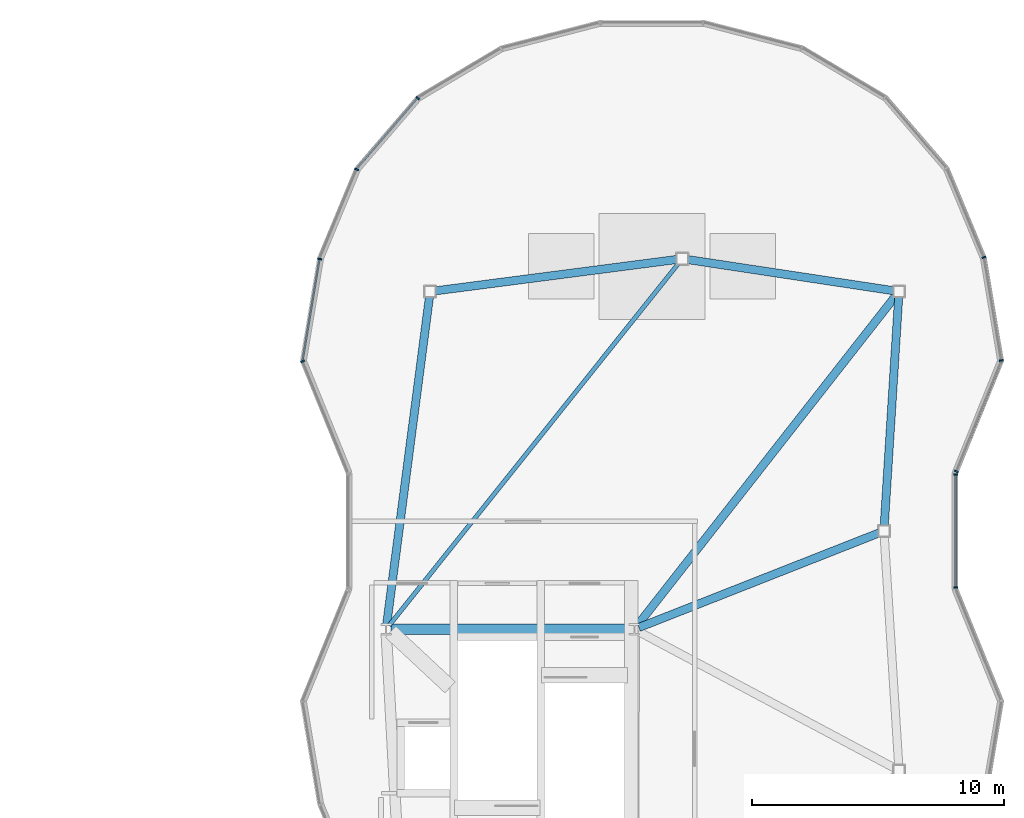
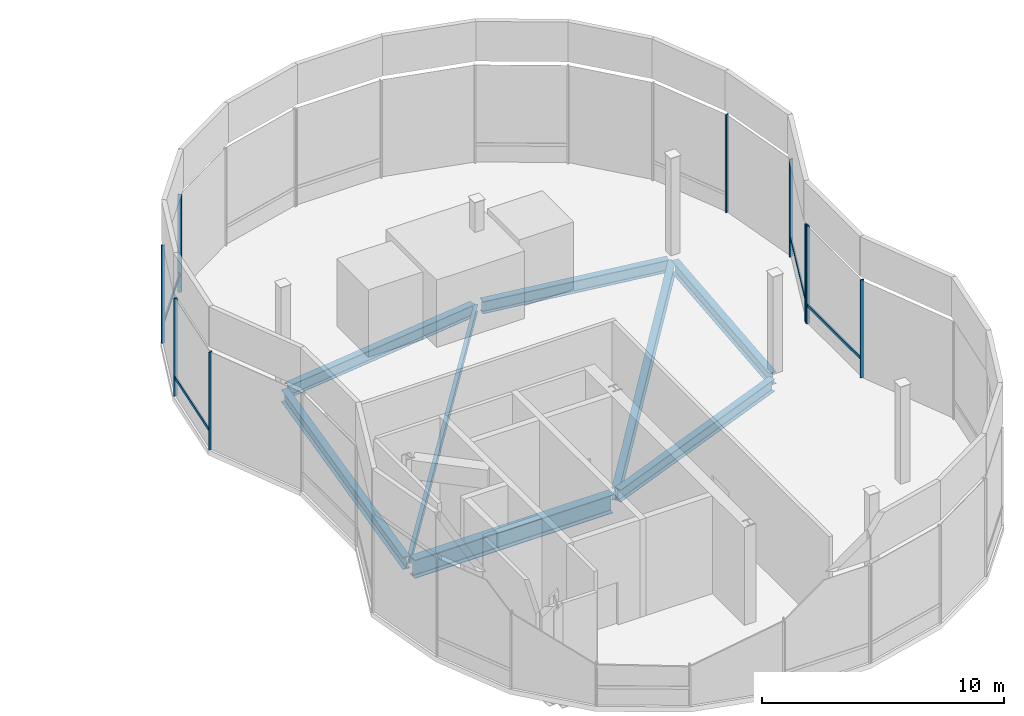
# One storey, part 7 of 14: 13 members, 8 beams, 3 elements without a shape of their own.
"""IFC4 building model written with IfcOpenShell, lengths in metres."""

from ifc_helpers import new_model, si_unit, direction, frame, origin, origin_2d, place, context, subcontext, project, spatial, rectangle, i_section, extrude, material, material_profile, profile_set, type_object, element, aggregate, save


model = new_model("IFC4")

# Units and contexts
model_context = context("Model", 3, precision=1e-05, world=origin(), true_north=direction((0.0, 1.0)))
body_context = subcontext(model_context, "Body", "Model", "MODEL_VIEW")
ifc_project = project(units=[si_unit("LENGTHUNIT", "METRE"), si_unit("AREAUNIT", "SQUARE_METRE"), si_unit("VOLUMEUNIT", "CUBIC_METRE"), si_unit("PLANEANGLEUNIT", "RADIAN"), si_unit("MASSUNIT", "GRAM", prefix="KILO"), si_unit("THERMODYNAMICTEMPERATUREUNIT", "KELVIN"), si_unit("POWERUNIT", "WATT")], contexts=[model_context])

# Site, building, storey
site_placement = place(None, origin())
site = spatial("IfcSite", under=ifc_project, at=site_placement, CompositionType="ELEMENT")
building_placement = place(site_placement, origin())
building = spatial("IfcBuilding", under=site, at=building_placement, Name="Cundina Bronze Exchange", CompositionType="ELEMENT")
storey_placement = place(building_placement, frame((0.0, 0.0, 286.39990234375)))
storey = spatial("IfcBuildingStorey", under=building, at=storey_placement, Name="L76", CompositionType="ELEMENT", Elevation=286.39990234375)

# Beams
ifc_material_1 = material(Name="Steel ASTM A992 Grade 50", Category="steel")
ifc_material_profile_1 = material_profile(ifc_material_1, i_section(OverallWidth=0.172119140625, OverallDepth=0.35791015625, WebThickness=0.0078125, FlangeThickness=0.01318359375, FilletRadius=0.010009765625, at=origin_2d()), Name="W14X38", Category="steel")
ifc_profile_set_1 = profile_set([ifc_material_profile_1], Name="Steel ASTM A992 Grade 50")
beam_type_1 = type_object("IfcBeamType", Name="BM-JST-W14", PredefinedType="JOIST", material=ifc_profile_set_1)
beam_1_placement = place(storey_placement, frame((21.572509765625, -3.746826171875, -0.43896484375), z_axis=(0.624366688299, 0.781131383662, 0.0), x_axis=(-0.781131383662, 0.624366688299, 0.0)))
element("IfcBeam", 1, at=beam_1_placement, inside=storey, type_object=beam_type_1, Name="L76 E Interior Core-to-Ring Joist 2", PredefinedType="JOIST", context=body_context, shape_type="SweptSolid", body=[
    extrude(i_section(OverallWidth=0.172119140625, OverallDepth=0.35791015625, WebThickness=0.0078125, FlangeThickness=0.01318359375, FilletRadius=0.010009765625, at=origin_2d()), origin(), (0.0, 0.0, 1.0), 18.40966796875),
])
ifc_material_profile_2 = material_profile(ifc_material_1, i_section(OverallWidth=0.324951171875, OverallDepth=0.615966796875, WebThickness=0.013916015625, FlangeThickness=0.021484375, FilletRadius=0.01611328125, at=origin_2d()), Name="W24X117", Category="steel")
ifc_profile_set_2 = profile_set([ifc_material_profile_2], Name="Steel ASTM A992 Grade 50")
beam_type_2 = type_object("IfcBeamType", Name="BM-RING-W24", PredefinedType="USERDEFINED", material=ifc_profile_set_2)
beam_2_placement = place(storey_placement, frame((41.21337890625, 0.212646484375, -0.56787109375), z_axis=(0.063043564756, 0.998010775965, 0.0), x_axis=(-0.998010775965, 0.063043564756, 0.0)))
element("IfcBeam", 2, at=beam_2_placement, inside=storey, type_object=beam_type_2, Name="L76 E Inner Structural Ring Girder 04", ObjectType="GIRDER", PredefinedType="USERDEFINED", context=body_context, shape_type="SweptSolid", body=[
    extrude(i_section(OverallWidth=0.324951171875, OverallDepth=0.615966796875, WebThickness=0.013916015625, FlangeThickness=0.021484375, FilletRadius=0.01611328125, at=origin_2d()), origin(), (0.0, 0.0, 1.0), 9.0927734375),
])
beam_3_placement = place(storey_placement, frame((41.58935546875, 9.53173828125, -0.56787109375), z_axis=(-0.988762483919, 0.149494984509, 0.0), x_axis=(-0.149494984509, -0.988762483919, 0.0)))
element("IfcBeam", 3, at=beam_3_placement, inside=storey, type_object=beam_type_2, Name="L76 E Inner Structural Ring Girder 05", ObjectType="GIRDER", PredefinedType="USERDEFINED", context=body_context, shape_type="SweptSolid", body=[
    extrude(i_section(OverallWidth=0.324951171875, OverallDepth=0.615966796875, WebThickness=0.013916015625, FlangeThickness=0.021484375, FilletRadius=0.01611328125, at=origin_2d()), origin(), (0.0, 0.0, 1.0), 8.271728515625),
])
beam_4_placement = place(storey_placement, frame((32.98876953125, 10.7724609375, -0.56787109375), z_axis=(-0.991658525473, -0.128892858052, 0.0), x_axis=(0.128892858052, -0.991658525473, 0.0)))
element("IfcBeam", 4, at=beam_4_placement, inside=storey, type_object=beam_type_2, Name="L76 E Inner Structural Ring Girder 06", ObjectType="GIRDER", PredefinedType="USERDEFINED", context=body_context, shape_type="SweptSolid", body=[
    extrude(i_section(OverallWidth=0.324951171875, OverallDepth=0.615966796875, WebThickness=0.013916015625, FlangeThickness=0.021484375, FilletRadius=0.01611328125, at=origin_2d()), origin(), (0.0, 0.0, 1.0), 9.658203125),
])
beam_5_placement = place(storey_placement, frame((23.17236328125, 9.288818359375, -0.56787109375), z_axis=(-0.129494487025, -0.99158014191, 0.0), x_axis=(0.99158014191, -0.129494487025, 0.0)))
element("IfcBeam", 5, at=beam_5_placement, inside=storey, type_object=beam_type_2, Name="L76 E Inner Structural Ring Girder 07", ObjectType="GIRDER", PredefinedType="USERDEFINED", context=body_context, shape_type="SweptSolid", body=[
    extrude(i_section(OverallWidth=0.324951171875, OverallDepth=0.615966796875, WebThickness=0.013916015625, FlangeThickness=0.021484375, FilletRadius=0.01611328125, at=origin_2d()), origin(), (0.0, 0.0, 1.0), 13.10498046875),
])
beam_6_placement = place(storey_placement, frame((31.482421875, -3.828125, -0.56787109375), z_axis=(0.93040913258, 0.366522640518, 0.0), x_axis=(-0.366522640518, 0.93040913258, 0.0)))
element("IfcBeam", 6, at=beam_6_placement, inside=storey, type_object=beam_type_2, Name="L76 E Core-to-Waist Tie Beam 1", ObjectType="GIRDER", PredefinedType="USERDEFINED", context=body_context, shape_type="SweptSolid", body=[
    extrude(i_section(OverallWidth=0.324951171875, OverallDepth=0.615966796875, WebThickness=0.013916015625, FlangeThickness=0.021484375, FilletRadius=0.01611328125, at=origin_2d()), origin(), (0.0, 0.0, 1.0), 10.231201171875),
])
beam_7_placement = place(storey_placement, frame((31.4208984375, -3.74560546875, -0.56787109375), z_axis=(0.616791126611, 0.787126867877, 0.0), x_axis=(-0.787126867877, 0.616791126611, 0.0)))
element("IfcBeam", 7, at=beam_7_placement, inside=storey, type_object=beam_type_2, Name="L76 E Core-to-Waist Tie Beam 3", ObjectType="GIRDER", PredefinedType="USERDEFINED", context=body_context, shape_type="SweptSolid", body=[
    extrude(i_section(OverallWidth=0.324951171875, OverallDepth=0.615966796875, WebThickness=0.013916015625, FlangeThickness=0.021484375, FilletRadius=0.01611328125, at=origin_2d()), origin(), (0.0, 0.0, 1.0), 16.61474609375),
])
ifc_material_profile_3 = material_profile(ifc_material_1, i_section(OverallWidth=0.41796875, OverallDepth=0.927001953125, WebThickness=0.019287109375, FlangeThickness=0.031982421875, FilletRadius=0.02392578125, at=origin_2d()), Name="W36X231", Category="steel")
ifc_profile_set_3 = profile_set([ifc_material_profile_3], Name="Steel ASTM A992 Grade 50")
beam_type_3 = type_object("IfcBeamType", Name="BM-WRN-W36B", PredefinedType="USERDEFINED", material=ifc_profile_set_3)
beam_8_placement = place(storey_placement, frame((31.10400390625, -3.89990234375, -0.723388671875), z_axis=(-1.0, 0.0, 0.0), x_axis=(0.0, -1.0, 0.0)))
element("IfcBeam", 8, at=beam_8_placement, inside=storey, type_object=beam_type_3, Name="L76 E Core Perimeter Tie Girder 1", ObjectType="GIRDER", PredefinedType="USERDEFINED", context=body_context, shape_type="SweptSolid", body=[
    extrude(i_section(OverallWidth=0.41796875, OverallDepth=0.927001953125, WebThickness=0.019287109375, FlangeThickness=0.031982421875, FilletRadius=0.02392578125, at=origin_2d()), origin(), (0.0, 0.0, 1.0), 9.4580078125),
])

# Curtain wall, members
ifc_material_2 = material(Name="Anodised Bronze Aluminium 6063-T6", Category="aluminium")
curtain_wall_type = type_object("IfcCurtainWallType", Name="CWS-CRN-TMD", PredefinedType="NOTDEFINED", material=ifc_material_2)
curtain_wall_1_placement = place(storey_placement, origin())
curtain_wall_1 = element("IfcCurtainWall", 9, at=curtain_wall_1_placement, inside=storey, type_object=curtain_wall_type, Name="L76 CW-07 Curtain Wall Run CWR-L76-E1", PredefinedType="NOTDEFINED")
ifc_material_profile_4 = material_profile(ifc_material_2, rectangle(XDim=0.06494140625, YDim=0.159912109375, at=origin_2d()), Name="AL65X160", Category="aluminium")
ifc_profile_set_4 = profile_set([ifc_material_profile_4], Name="Anodised Bronze Aluminium 6063-T6")
member_type_1 = type_object("IfcMemberType", Name="CWM-MUL-160", PredefinedType="MULLION", material=ifc_profile_set_4)
member_1_placement = place(storey_placement, frame((44.072509765625, 2.364013671875, 0.0), z_axis=(0.0, 0.0, 1.0), x_axis=(0.377517574003, 0.926002419716, 0.0)))
member_1 = element("IfcMember", 10, at=member_1_placement, type_object=member_type_1, Name="CW-07 Mullion 1", PredefinedType="MULLION", context=body_context, shape_type="SweptSolid", body=[
    extrude(rectangle(XDim=0.06494140625, YDim=0.159912109375, at=origin_2d()), origin(), (0.0, 0.0, 1.0), 4.93017578125),
])
member_2_placement = place(storey_placement, frame((45.85791015625, 6.766357421875, 0.0), z_axis=(0.0, 0.0, 1.0), x_axis=(-0.165047605861, 0.986285601537, 0.0)))
member_2 = element("IfcMember", 11, at=member_2_placement, type_object=member_type_1, Name="CW-07 Mullion 2", PredefinedType="MULLION", context=body_context, shape_type="SweptSolid", body=[
    extrude(rectangle(XDim=0.06494140625, YDim=0.159912109375, at=origin_2d()), origin(), (0.0, 0.0, 1.0), 4.93017578125),
])
member_3_placement = place(storey_placement, frame((45.165283203125, 10.856689453125, 0.0), z_axis=(0.0, 0.0, 1.0), x_axis=(-0.383650706743, 0.923478280858, 0.0)))
member_3 = element("IfcMember", 12, at=member_3_placement, type_object=member_type_1, Name="CW-07 Mullion 3", PredefinedType="MULLION", context=body_context, shape_type="SweptSolid", body=[
    extrude(rectangle(XDim=0.06494140625, YDim=0.159912109375, at=origin_2d()), origin(), (0.0, 0.0, 1.0), 4.93017578125),
])

curtain_wall_2_placement = place(storey_placement, origin())
curtain_wall_2 = element("IfcCurtainWall", 13, at=curtain_wall_2_placement, inside=storey, type_object=curtain_wall_type, Name="L76 CW-07 Curtain Wall Run CWR-L76-E2", PredefinedType="NOTDEFINED")
member_4_placement = place(storey_placement, frame((22.70703125, 17.17333984375, 0.0), z_axis=(0.0, 0.0, 1.0), x_axis=(-0.652495272634, -0.757792794364, 0.0)))
member_4 = element("IfcMember", 14, at=member_4_placement, type_object=member_type_1, Name="CW-07 Mullion 3", PredefinedType="MULLION", context=body_context, shape_type="SweptSolid", body=[
    extrude(rectangle(XDim=0.06494140625, YDim=0.159912109375, at=origin_2d()), origin(), (0.0, 0.0, 1.0), 4.93017578125),
])
member_5_placement = place(storey_placement, frame((20.283935546875, 14.344482421875, 0.0), z_axis=(0.0, 0.0, 1.0), x_axis=(-0.383650706743, -0.923478280858, 0.0)))
member_5 = element("IfcMember", 15, at=member_5_placement, type_object=member_type_1, Name="CW-07 Mullion 4", PredefinedType="MULLION", context=body_context, shape_type="SweptSolid", body=[
    extrude(rectangle(XDim=0.06494140625, YDim=0.159912109375, at=origin_2d()), origin(), (0.0, 0.0, 1.0), 4.93017578125),
])
member_6_placement = place(storey_placement, frame((18.816162109375, 10.79150390625, 0.0), z_axis=(0.0, 0.0, 1.0), x_axis=(-0.165047605861, -0.986285601537, 0.0)))
member_6 = element("IfcMember", 16, at=member_6_placement, type_object=member_type_1, Name="CW-07 Mullion 5", PredefinedType="MULLION", context=body_context, shape_type="SweptSolid", body=[
    extrude(rectangle(XDim=0.06494140625, YDim=0.159912109375, at=origin_2d()), origin(), (0.0, 0.0, 1.0), 4.93017578125),
])
member_7_placement = place(storey_placement, frame((18.145751953125, 6.733642578125, 0.0), z_axis=(0.0, 0.0, 1.0), x_axis=(0.377517574003, -0.926002419716, 0.0)))
member_7 = element("IfcMember", 17, at=member_7_placement, type_object=member_type_1, Name="CW-07 Mullion 6", PredefinedType="MULLION", context=body_context, shape_type="SweptSolid", body=[
    extrude(rectangle(XDim=0.06494140625, YDim=0.159912109375, at=origin_2d()), origin(), (0.0, 0.0, 1.0), 4.93017578125),
])

curtain_wall_3_placement = place(storey_placement, origin())
curtain_wall_3 = element("IfcCurtainWall", 18, at=curtain_wall_3_placement, inside=storey, type_object=curtain_wall_type, Name="L76 CW-07 Curtain Wall Run CWR-L76-E4", PredefinedType="NOTDEFINED")
member_8_placement = place(storey_placement, frame((44.048095703125, -2.238525390625, 0.0), z_axis=(0.0, 0.0, 1.0), x_axis=(0.0, 1.0, 0.0)))
member_8 = element("IfcMember", 19, at=member_8_placement, type_object=member_type_1, Name="CW-07 Mullion 7", PredefinedType="MULLION", context=body_context, shape_type="SweptSolid", body=[
    extrude(rectangle(XDim=0.06494140625, YDim=0.159912109375, at=origin_2d()), origin(), (0.0, 0.0, 1.0), 4.93017578125),
])
member_9_placement = place(storey_placement, frame((44.048095703125, 2.238525390625, 0.0), z_axis=(0.0, 0.0, 1.0), x_axis=(0.0, 1.0, 0.0)))
member_9 = element("IfcMember", 20, at=member_9_placement, type_object=member_type_1, Name="CW-07 End Mullion", PredefinedType="MULLION", context=body_context, shape_type="SweptSolid", body=[
    extrude(rectangle(XDim=0.06494140625, YDim=0.159912109375, at=origin_2d()), origin(), (0.0, 0.0, 1.0), 4.93017578125),
])

# Member
ifc_material_profile_5 = material_profile(ifc_material_2, rectangle(XDim=0.06494140625, YDim=0.14990234375, at=origin_2d()), Name="AL65X150", Category="aluminium")
ifc_profile_set_5 = profile_set([ifc_material_profile_5], Name="Anodised Bronze Aluminium 6063-T6")
member_type_2 = type_object("IfcMemberType", Name="CWM-TRN-150", PredefinedType="USERDEFINED", material=ifc_profile_set_5)
member_10_placement = place(storey_placement, frame((44.086181640625, 2.39697265625, 0.920166015625), z_axis=(0.377528598673, 0.925997925043, 0.0), x_axis=(-0.925997925043, 0.377528598673, 0.0)))
member_10 = element("IfcMember", 21, at=member_10_placement, type_object=member_type_2, Name="CW-07 Spandrel Transom 1", ObjectType="TRANSOM", PredefinedType="USERDEFINED", context=body_context, shape_type="SweptSolid", body=[
    extrude(rectangle(XDim=0.06494140625, YDim=0.14990234375, at=origin_2d()), origin(), (0.0, 0.0, 1.0), 4.71875),
])

aggregate(curtain_wall_1, [member_1, member_10, member_2, member_3])

member_11_placement = place(storey_placement, frame((22.683837890625, 17.146240234375, 0.920166015625), z_axis=(-0.652483845386, -0.757802633612, 0.0), x_axis=(0.757802633612, -0.652483845386, 0.0)))
member_11 = element("IfcMember", 22, at=member_11_placement, type_object=member_type_2, Name="CW-07 Spandrel Transom 3", ObjectType="TRANSOM", PredefinedType="USERDEFINED", context=body_context, shape_type="SweptSolid", body=[
    extrude(rectangle(XDim=0.06494140625, YDim=0.14990234375, at=origin_2d()), origin(), (0.0, 0.0, 1.0), 3.667236328125),
])

member_12_placement = place(storey_placement, frame((18.810302734375, 10.75634765625, 0.920166015625), z_axis=(-0.165165290928, -0.986265900593, 0.0), x_axis=(0.986265900593, -0.165165290928, 0.0)))
member_12 = element("IfcMember", 23, at=member_12_placement, type_object=member_type_2, Name="CW-07 Spandrel Transom 5", ObjectType="TRANSOM", PredefinedType="USERDEFINED", context=body_context, shape_type="SweptSolid", body=[
    extrude(rectangle(XDim=0.06494140625, YDim=0.14990234375, at=origin_2d()), origin(), (0.0, 0.0, 1.0), 4.081298828125),
])

aggregate(curtain_wall_2, [member_4, member_11, member_5, member_6, member_12, member_7])

member_13_placement = place(storey_placement, frame((44.048095703125, -2.20263671875, 0.920166015625), z_axis=(0.0, 1.0, 0.0), x_axis=(-1.0, 0.0, 0.0)))
member_13 = element("IfcMember", 24, at=member_13_placement, type_object=member_type_2, Name="CW-07 Spandrel Transom 7", ObjectType="TRANSOM", PredefinedType="USERDEFINED", context=body_context, shape_type="SweptSolid", body=[
    extrude(rectangle(XDim=0.06494140625, YDim=0.14990234375, at=origin_2d()), origin(), (0.0, 0.0, 1.0), 4.4052734375),
])

aggregate(curtain_wall_3, [member_8, member_9, member_13])

save(model, "model.ifc")
